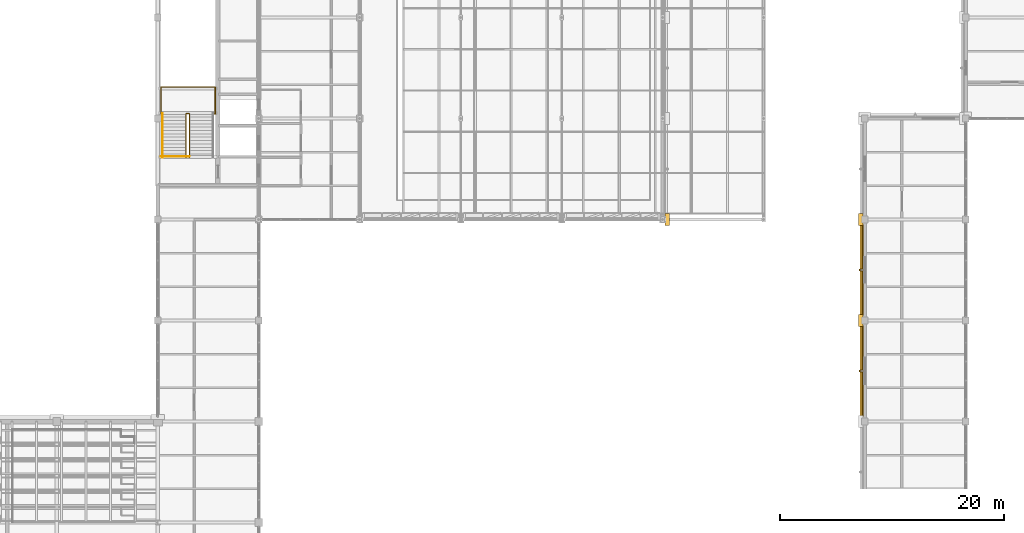
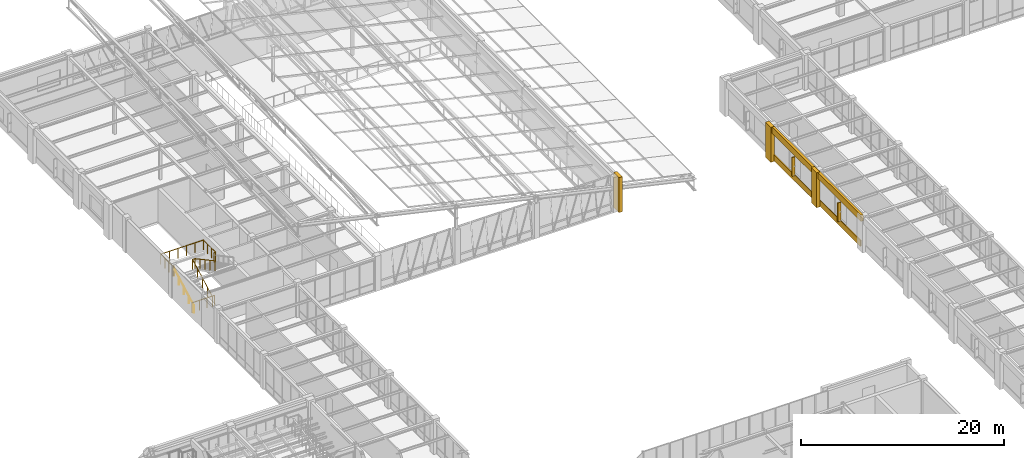
# One storey, part 127 of 130: 7 coverings, 4 railings, 2 shading devices.
"""IFC4 building model written with IfcOpenShell, lengths in metres."""

from ifc_helpers import new_model, si_unit, direction, frame, origin, origin_2d, place, context, subcontext, project, spatial, rectangle, circle, extrude, material, layer, layer_set, type_object, element, save


model = new_model("IFC4")

# Units and contexts
model_context = context("Model", 3, precision=1e-05, world=origin(), true_north=direction((0.0, 1.0)))
body_context = subcontext(model_context, "Body", "Model", "MODEL_VIEW")
ifc_project = project(units=[si_unit("LENGTHUNIT", "METRE"), si_unit("AREAUNIT", "SQUARE_METRE"), si_unit("VOLUMEUNIT", "CUBIC_METRE"), si_unit("PLANEANGLEUNIT", "RADIAN"), si_unit("MASSUNIT", "GRAM", prefix="KILO")], contexts=[model_context])

# Site, building, storey
site_placement = place(None, origin())
site = spatial("IfcSite", under=ifc_project, at=site_placement, CompositionType="ELEMENT")
building_placement = place(site_placement, origin())
building = spatial("IfcBuilding", under=site, at=building_placement, Name="Lykobir Media Centre", CompositionType="ELEMENT")
storey_placement = place(building_placement, frame((0.0, 0.0, 19.199951171875)))
storey = spatial("IfcBuildingStorey", under=building, at=storey_placement, Name="L04", CompositionType="ELEMENT", Elevation=19.199951171875)

# Coverings
ifc_material_1 = material(Name="Glazed Turquoise Terracotta", Category="masonry")
ifc_layer_1 = layer(ifc_material_1, 0.0400390625, Name="Glazed Turquoise Terracotta")
ifc_layer_set_1 = layer_set([ifc_layer_1], Name="Glazed Turquoise Terracotta")
covering_type_1 = type_object("IfcCoveringType", Name="CLD-TERR", PredefinedType="CLADDING", material=ifc_layer_set_1)
for number, where, z_axis, x_axis, name in (
    (1, (89.8291015625, 49.5, 0.080078125), (0.0, 0.0, 1.0), (0.0, -1.0, 0.0), "Facade spandrel apron 684"),
    (2, (89.8291015625, 58.5, 0.080078125), (0.0, 0.0, 1.0), (0.0, -1.0, 0.0), "Facade spandrel apron 687"),
):
    element("IfcCovering", number, at=place(storey_placement, frame(where, z_axis=z_axis, x_axis=x_axis)), inside=storey, type_object=covering_type_1, Name=name, PredefinedType="CLADDING", context=body_context, shape_type="SweptSolid", body=[
        extrude(rectangle(XDim=8.030029296875, YDim=0.10009765625, at=origin_2d()), origin(), (0.0, 0.0, 1.0), 0.719970703125),
    ])
ifc_material_2 = material(Name="Honed Travertine Stone", Category="masonry")
ifc_layer_2 = layer(ifc_material_2, 0.050048828125, Name="Honed Travertine Stone")
ifc_layer_set_2 = layer_set([ifc_layer_2], Name="Honed Travertine Stone")
covering_type_2 = type_object("IfcCoveringType", Name="CLD-TRAV", PredefinedType="CLADDING", material=ifc_layer_set_2)
for number, where, z_axis, x_axis, name in (
    (3, (72.3798828125, 63.0, 0.0), (0.0, 0.0, 1.0), (0.0, 1.0, 0.0), "Travertine column pier 625"),
    (4, (89.6201171875, 54.0, 0.0), (0.0, 0.0, 1.0), (0.0, -1.0, 0.0), "Travertine column pier 682"),
):
    element("IfcCovering", number, at=place(storey_placement, frame(where, z_axis=z_axis, x_axis=x_axis)), inside=storey, type_object=covering_type_2, Name=name, PredefinedType="CLADDING", context=body_context, shape_type="SweptSolid", body=[
        extrude(rectangle(XDim=1.06005859375, YDim=0.39990234375, at=origin_2d()), origin(), (0.0, 0.0, 1.0), 4.199951171875),
    ])
covering_1_placement = place(storey_placement, frame((89.699951171875, 49.5, 3.43994140625), z_axis=(0.0, 0.0, 1.0), x_axis=(0.0, -1.0, 0.0)))
element("IfcCovering", 5, at=covering_1_placement, inside=storey, type_object=covering_type_2, Name="Travertine spandrel stringcourse 683", PredefinedType="CLADDING", context=body_context, shape_type="SweptSolid", body=[
    extrude(rectangle(XDim=9.0, YDim=0.280029296875, at=origin_2d()), origin(), (0.0, 0.0, 1.0), 0.760009765625),
])
covering_2_placement = place(storey_placement, frame((89.6201171875, 63.0, 0.0), z_axis=(0.0, 0.0, 1.0), x_axis=(0.0, -1.0, 0.0)))
element("IfcCovering", 6, at=covering_2_placement, inside=storey, type_object=covering_type_2, Name="Travertine column pier 685", PredefinedType="CLADDING", context=body_context, shape_type="SweptSolid", body=[
    extrude(rectangle(XDim=1.06005859375, YDim=0.39990234375, at=origin_2d()), origin(), (0.0, 0.0, 1.0), 4.199951171875),
])
covering_3_placement = place(storey_placement, frame((89.699951171875, 58.5, 3.43994140625), z_axis=(0.0, 0.0, 1.0), x_axis=(0.0, -1.0, 0.0)))
element("IfcCovering", 7, at=covering_3_placement, inside=storey, type_object=covering_type_2, Name="Travertine spandrel stringcourse 686", PredefinedType="CLADDING", context=body_context, shape_type="SweptSolid", body=[
    extrude(rectangle(XDim=9.0, YDim=0.280029296875, at=origin_2d()), origin(), (0.0, 0.0, 1.0), 0.760009765625),
])

# Railings
ifc_material_3 = material(Name="Steel S355", Category="steel")
railing_type_1 = type_object("IfcRailingType", Name="GR-1200", PredefinedType="BALUSTRADE", material=ifc_material_3)
railing_1_placement = place(storey_placement, frame((27.27001953125, 68.6298828125, 0.0)))
element("IfcRailing", 8, at=railing_1_placement, inside=storey, type_object=railing_type_1, Name="ST-3 L04 arrival well guard", PredefinedType="BALUSTRADE", context=body_context, shape_type="SweptSolid", body=[
    extrude(circle(Radius=0.02392578125, at=origin_2d()), frame((0.0, 0.0, 1.17578125), z_axis=(1.0, 0.0, 0.0), x_axis=(0.0, 1.0, 0.0)), (0.0, 0.0, 1.0), 2.5400390625),
    extrude(circle(Radius=0.02099609375, at=origin_2d()), origin(), (0.0, 0.0, 1.0), 1.15185546875),
    extrude(circle(Radius=0.02099609375, at=origin_2d()), frame((0.8466796875, 0.0, 0.0)), (0.0, 0.0, 1.0), 1.15185546875),
    extrude(circle(Radius=0.02099609375, at=origin_2d()), frame((1.693359375, 0.0, 0.0)), (0.0, 0.0, 1.0), 1.15185546875),
    extrude(circle(Radius=0.02099609375, at=origin_2d()), frame((2.5400390625, 0.0, 0.0)), (0.0, 0.0, 1.0), 1.15185546875),
])
railing_2_placement = place(storey_placement, frame((29.530029296875, 68.530029296875, 0.0)))
element("IfcRailing", 9, at=railing_2_placement, inside=storey, type_object=railing_type_1, Name="ST-3 L04 inner well and slot guard", PredefinedType="BALUSTRADE", context=body_context, shape_type="SweptSolid", body=[
    extrude(circle(Radius=0.02392578125, at=origin_2d()), frame((0.0, 0.0, 1.17578125), z_axis=(0.0, 0.880456940745, 0.474126117709), x_axis=(-1.0, 0.0, 0.0)), (0.0, 0.0, 1.0), 4.429443359375),
    extrude(circle(Radius=0.02392578125, at=origin_2d()), frame((0.0, 3.89990234375, 3.27587890625), z_axis=(1.0, 0.0, 0.0), x_axis=(0.0, 1.0, 0.0)), (0.0, 0.0, 1.0), 0.280029296875),
    extrude(circle(Radius=0.02392578125, at=origin_2d()), frame((0.280029296875, 3.89990234375, 3.27587890625), z_axis=(0.0, -0.88047994924, 0.474083388219), x_axis=(1.0, 0.0, 0.0)), (0.0, 0.0, 1.0), 4.42919921875),
    extrude(circle(Radius=0.02099609375, at=origin_2d()), origin(), (0.0, 0.0, 1.0), 1.15185546875),
    extrude(circle(Radius=0.02099609375, at=origin_2d()), frame((0.0, 0.97509765625, 0.52490234375)), (0.0, 0.0, 1.0), 1.15185546875),
    extrude(circle(Radius=0.02099609375, at=origin_2d()), frame((0.0, 1.949951171875, 1.050048828125)), (0.0, 0.0, 1.0), 1.15185546875),
    extrude(circle(Radius=0.02099609375, at=origin_2d()), frame((0.0, 2.9248046875, 1.5751953125)), (0.0, 0.0, 1.0), 1.15185546875),
    extrude(circle(Radius=0.02099609375, at=origin_2d()), frame((0.0, 3.89990234375, 2.10009765625)), (0.0, 0.0, 1.0), 1.15185546875),
    extrude(circle(Radius=0.02099609375, at=origin_2d()), frame((0.280029296875, 3.89990234375, 2.10009765625)), (0.0, 0.0, 1.0), 1.15185546875),
    extrude(circle(Radius=0.02099609375, at=origin_2d()), frame((0.280029296875, 2.9248046875, 2.625)), (0.0, 0.0, 1.0), 1.15185546875),
    extrude(circle(Radius=0.02099609375, at=origin_2d()), frame((0.280029296875, 1.949951171875, 3.14990234375)), (0.0, 0.0, 1.0), 1.15185546875),
    extrude(circle(Radius=0.02099609375, at=origin_2d()), frame((0.280029296875, 0.97509765625, 3.675048828125)), (0.0, 0.0, 1.0), 1.15185546875),
    extrude(circle(Radius=0.02099609375, at=origin_2d()), frame((0.280029296875, 0.0, 4.199951171875)), (0.0, 0.0, 1.0), 1.15185546875),
])
railing_3_placement = place(storey_placement, frame((27.389892578125, 72.389892578125, 2.10009765625)))
element("IfcRailing", 10, at=railing_3_placement, inside=storey, type_object=railing_type_1, Name="ST-3 L04 half-landing perimeter guard", PredefinedType="BALUSTRADE", context=body_context, shape_type="SweptSolid", body=[
    extrude(circle(Radius=0.02392578125, at=origin_2d()), frame((0.0, 0.0, 1.17578125), z_axis=(-1.0, 0.0, 0.0), x_axis=(0.0, -1.0, 0.0)), (0.0, 0.0, 1.0), 0.10986328125),
    extrude(circle(Radius=0.02392578125, at=origin_2d()), frame((-0.10986328125, 0.0, 1.17578125), z_axis=(0.0, 1.0, 0.0), x_axis=(-1.0, 0.0, 0.0)), (0.0, 0.0, 1.0), 2.400146484375),
    extrude(circle(Radius=0.02392578125, at=origin_2d()), frame((-0.10986328125, 2.400146484375, 1.17578125), z_axis=(1.0, 0.0, 0.0), x_axis=(0.0, 1.0, 0.0)), (0.0, 0.0, 1.0), 4.840087890625),
    extrude(circle(Radius=0.02392578125, at=origin_2d()), frame((4.730224609375, 2.400146484375, 1.17578125), z_axis=(0.0, -1.0, 0.0), x_axis=(1.0, 0.0, 0.0)), (0.0, 0.0, 1.0), 2.400146484375),
    extrude(circle(Radius=0.02392578125, at=origin_2d()), frame((4.730224609375, 0.0, 1.17578125), z_axis=(-1.0, 0.0, 0.0), x_axis=(0.0, -1.0, 0.0)), (0.0, 0.0, 1.0), 0.170166015625),
    extrude(circle(Radius=0.02099609375, at=origin_2d()), origin(), (0.0, 0.0, 1.0), 1.15185546875),
    extrude(circle(Radius=0.02099609375, at=origin_2d()), frame((-0.10986328125, 0.0, 0.0)), (0.0, 0.0, 1.0), 1.15185546875),
    extrude(circle(Radius=0.02099609375, at=origin_2d()), frame((-0.10986328125, 0.800048828125, 0.0)), (0.0, 0.0, 1.0), 1.15185546875),
    extrude(circle(Radius=0.02099609375, at=origin_2d()), frame((-0.10986328125, 1.60009765625, 0.0)), (0.0, 0.0, 1.0), 1.15185546875),
    extrude(circle(Radius=0.02099609375, at=origin_2d()), frame((-0.10986328125, 2.400146484375, 0.0)), (0.0, 0.0, 1.0), 1.15185546875),
    extrude(circle(Radius=0.02099609375, at=origin_2d()), frame((0.858154296875, 2.400146484375, 0.0)), (0.0, 0.0, 1.0), 1.15185546875),
    extrude(circle(Radius=0.02099609375, at=origin_2d()), frame((1.826171875, 2.400146484375, 0.0)), (0.0, 0.0, 1.0), 1.15185546875),
    extrude(circle(Radius=0.02099609375, at=origin_2d()), frame((2.794189453125, 2.400146484375, 0.0)), (0.0, 0.0, 1.0), 1.15185546875),
    extrude(circle(Radius=0.02099609375, at=origin_2d()), frame((3.76220703125, 2.400146484375, 0.0)), (0.0, 0.0, 1.0), 1.15185546875),
    extrude(circle(Radius=0.02099609375, at=origin_2d()), frame((4.730224609375, 2.400146484375, 0.0)), (0.0, 0.0, 1.0), 1.15185546875),
    extrude(circle(Radius=0.02099609375, at=origin_2d()), frame((4.730224609375, 1.60009765625, 0.0)), (0.0, 0.0, 1.0), 1.15185546875),
    extrude(circle(Radius=0.02099609375, at=origin_2d()), frame((4.730224609375, 0.800048828125, 0.0)), (0.0, 0.0, 1.0), 1.15185546875),
    extrude(circle(Radius=0.02099609375, at=origin_2d()), frame((4.730224609375, 0.0, 0.0)), (0.0, 0.0, 1.0), 1.15185546875),
    extrude(circle(Radius=0.02099609375, at=origin_2d()), frame((4.56005859375, 0.0, 0.0)), (0.0, 0.0, 1.0), 1.15185546875),
])
railing_type_2 = type_object("IfcRailingType", Name="HR-0900", PredefinedType="HANDRAIL", material=ifc_material_3)
railing_4_placement = place(storey_placement, frame((27.429931640625, 68.530029296875, 0.0)))
element("IfcRailing", 11, at=railing_4_placement, inside=storey, type_object=railing_type_2, Name="ST-3 L04 F1 wall handrail", PredefinedType="HANDRAIL", context=body_context, shape_type="SweptSolid", body=[
    extrude(circle(Radius=0.02392578125, at=origin_2d()), frame((0.0, 0.0, 0.8759765625), z_axis=(0.0, 0.880456940745, 0.474126117709), x_axis=(-1.0, 0.0, 0.0)), (0.0, 0.0, 1.0), 4.429443359375),
    extrude(circle(Radius=0.02099609375, at=origin_2d()), origin(), (0.0, 0.0, 1.0), 0.851806640625),
    extrude(circle(Radius=0.02099609375, at=origin_2d()), frame((0.0, 0.97509765625, 0.52490234375)), (0.0, 0.0, 1.0), 0.851806640625),
    extrude(circle(Radius=0.02099609375, at=origin_2d()), frame((0.0, 1.949951171875, 1.050048828125)), (0.0, 0.0, 1.0), 0.851806640625),
    extrude(circle(Radius=0.02099609375, at=origin_2d()), frame((0.0, 2.9248046875, 1.5751953125)), (0.0, 0.0, 1.0), 0.851806640625),
    extrude(circle(Radius=0.02099609375, at=origin_2d()), frame((0.0, 3.89990234375, 2.10009765625)), (0.0, 0.0, 1.0), 0.851806640625),
])

# Shading devices
shading_device_type = type_object("IfcShadingDeviceType", Name="SHD-FIN", PredefinedType="USERDEFINED", material=ifc_material_1)
for number, where, z_axis, x_axis, name in (
    (12, (89.675048828125, 49.5, 0.72509765625), (0.0, 0.0, 1.0), (0.0, -1.0, 0.0), "Terracotta shading fin 68"),
    (13, (89.675048828125, 58.5, 0.72509765625), (0.0, 0.0, 1.0), (0.0, -1.0, 0.0), "Terracotta shading fin 69"),
):
    element("IfcShadingDevice", number, at=place(storey_placement, frame(where, z_axis=z_axis, x_axis=x_axis)), inside=storey, type_object=shading_device_type, Name=name, ObjectType="FIN", PredefinedType="USERDEFINED", context=body_context, shape_type="SweptSolid", body=[
        extrude(rectangle(XDim=0.1201171875, YDim=0.35009765625, at=origin_2d()), origin(), (0.0, 0.0, 1.0), 2.25),
    ])

save(model, "model.ifc")
